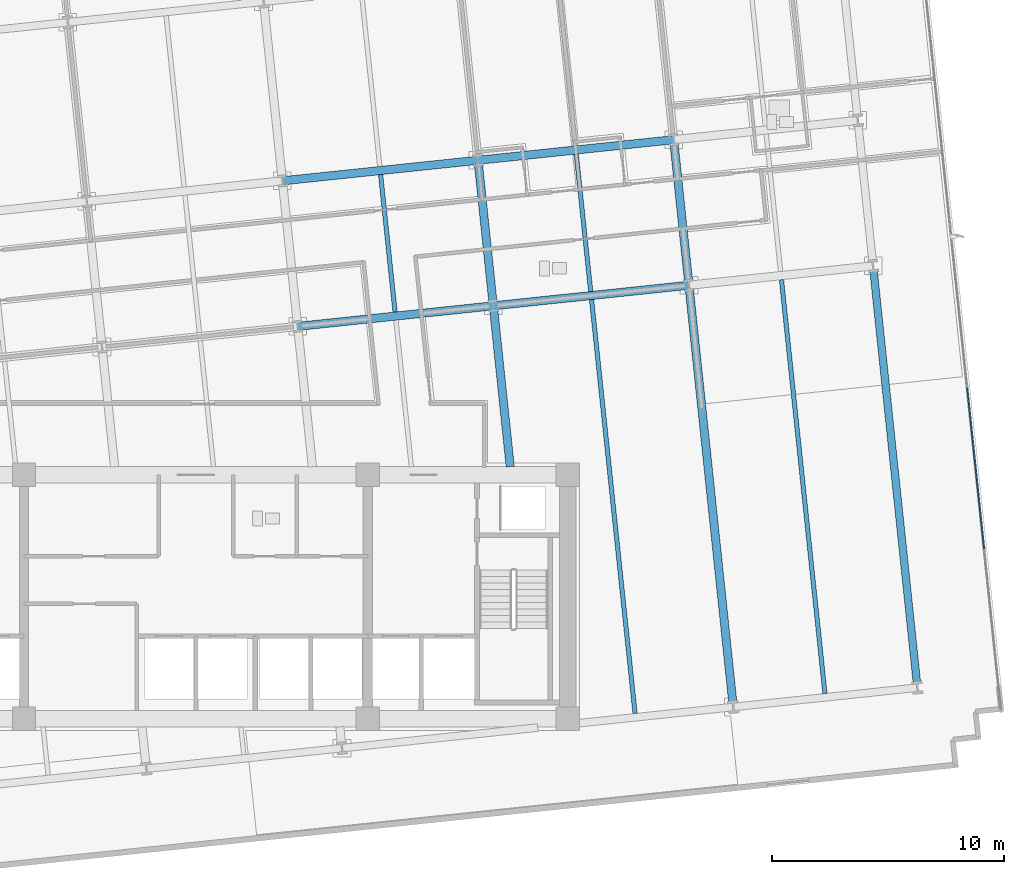
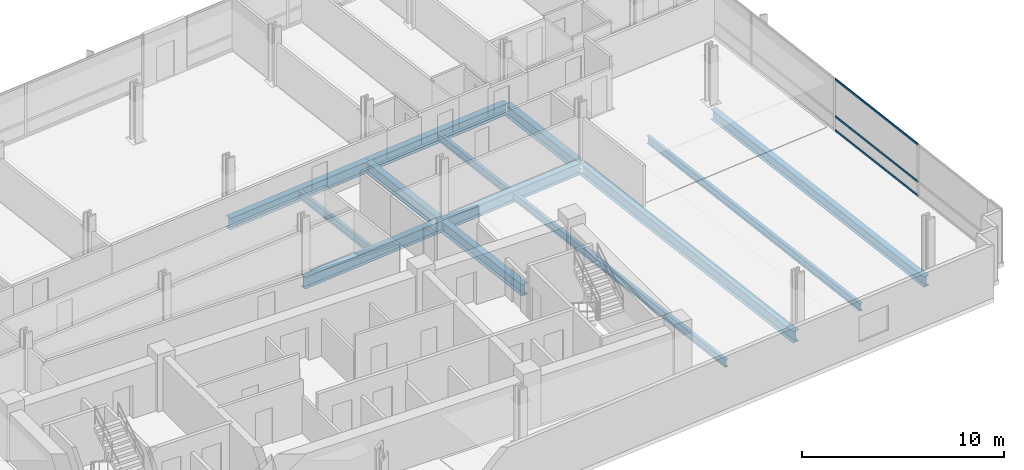
# One storey, part 7 of 21: 13 beams, 3 members, 1 element without a shape of its own.
"""IFC4 building model written with IfcOpenShell, lengths in metres."""

from ifc_helpers import new_model, si_unit, direction, frame, origin, origin_2d, place, context, subcontext, project, spatial, rectangle, i_section, extrude, material, material_profile, profile_set, type_object, element, aggregate, save


model = new_model("IFC4")

# Units and contexts
model_context = context("Model", 3, precision=1e-05, world=origin(), true_north=direction((0.0, 1.0)))
body_context = subcontext(model_context, "Body", "Model", "MODEL_VIEW")
ifc_project = project(units=[si_unit("LENGTHUNIT", "METRE"), si_unit("AREAUNIT", "SQUARE_METRE"), si_unit("VOLUMEUNIT", "CUBIC_METRE"), si_unit("PLANEANGLEUNIT", "RADIAN"), si_unit("MASSUNIT", "GRAM", prefix="KILO")], contexts=[model_context])

# Site, building, storey
site_placement = place(None, origin())
site = spatial("IfcSite", under=ifc_project, at=site_placement, CompositionType="ELEMENT")
building_placement = place(site_placement, origin())
building = spatial("IfcBuilding", under=site, at=building_placement, Name="Solmavex Isthmus Hotel", CompositionType="ELEMENT")
storey_placement = place(building_placement, frame((0.0, 0.0, 113.25)))
storey = spatial("IfcBuildingStorey", under=building, at=storey_placement, Name="L30", CompositionType="ELEMENT", Elevation=113.25)

# Beams
ifc_material_1 = material(Name="Steel ASTM A992 Grade 50", Category="steel")
ifc_material_profile_1 = material_profile(ifc_material_1, i_section(OverallWidth=0.354736328125, OverallDepth=0.695556640625, WebThickness=0.015380859375, FlangeThickness=0.02490234375, FilletRadius=0.017822265625, at=origin_2d()), Name="W27X146")
ifc_profile_set_1 = profile_set([ifc_material_profile_1], Name="Steel ASTM A992 Grade 50")
beam_type_1 = type_object("IfcBeamType", Name="BM-BG-W27X146", PredefinedType="BEAM", material=ifc_profile_set_1)
for number, where, z_axis, x_axis, name in (
    (1, (4.38037109375, 3.888427734375, -0.607666015625), (0.994521085209, 0.104536171134, 0.0), (-0.104536171134, 0.994521085209, 0.0), "Floor Girder L30-UG10"),
    (2, (12.800048828125, 4.7734375, -0.607666015625), (0.994521085209, 0.104536171134, 0.0), (-0.104536171134, 0.994521085209, 0.0), "Floor Girder L30-UG11"),
    (3, (3.72216796875, 10.152099609375, -0.607666015625), (0.994524082861, 0.104507648572, 0.0), (-0.104507648572, 0.994524082861, 0.0), "Floor Girder L30-UG16"),
    (4, (12.141845703125, 11.036865234375, -0.607666015625), (0.994521085209, 0.104536171134, 0.0), (-0.104536171134, 0.994521085209, 0.0), "Floor Girder L30-UG17"),
):
    element("IfcBeam", number, at=place(storey_placement, frame(where, z_axis=z_axis, x_axis=x_axis)), inside=storey, type_object=beam_type_1, Name=name, PredefinedType="BEAM", context=body_context, shape_type="SweptSolid", body=[
        extrude(i_section(OverallWidth=0.354736328125, OverallDepth=0.695556640625, WebThickness=0.015380859375, FlangeThickness=0.02490234375, FilletRadius=0.017822265625, at=origin_2d()), origin(), (0.0, 0.0, 1.0), 8.466064453125),
    ])
beam_1_placement = place(storey_placement, frame((13.52783203125, -2.14990234375, -0.607666015625), z_axis=(-0.104544283528, 0.994520232465, 0.0), x_axis=(-0.994520232465, -0.104544283528, 0.0)))
element("IfcBeam", 5, at=beam_1_placement, inside=storey, type_object=beam_type_1, Name="Floor Beam L30-VG40", PredefinedType="BEAM", context=body_context, shape_type="SweptSolid", body=[
    extrude(i_section(OverallWidth=0.354736328125, OverallDepth=0.695556640625, WebThickness=0.015380859375, FlangeThickness=0.02490234375, FilletRadius=0.017822265625, at=origin_2d()), origin(), (0.0, 0.0, 1.0), 6.783935546875),
])
beam_2_placement = place(storey_placement, frame((12.781494140625, 4.949951171875, -0.607666015625), z_axis=(-0.104505160346, 0.994524344328, 0.0), x_axis=(-0.994524344328, -0.104505160346, 0.0)))
element("IfcBeam", 6, at=beam_2_placement, inside=storey, type_object=beam_type_1, Name="Floor Beam L30-VG41", PredefinedType="BEAM", context=body_context, shape_type="SweptSolid", body=[
    extrude(i_section(OverallWidth=0.354736328125, OverallDepth=0.695556640625, WebThickness=0.015380859375, FlangeThickness=0.02490234375, FilletRadius=0.017822265625, at=origin_2d()), origin(), (0.0, 0.0, 1.0), 5.943115234375),
])
beam_3_placement = place(storey_placement, frame((23.1103515625, -12.329345703125, -0.607666015625), z_axis=(-0.104530088192, 0.99452172458, 0.0), x_axis=(-0.99452172458, -0.104530088192, 0.0)))
element("IfcBeam", 7, at=beam_3_placement, inside=storey, type_object=beam_type_1, Name="Floor Beam L30-VG43", PredefinedType="BEAM", context=body_context, shape_type="SweptSolid", body=[
    extrude(i_section(OverallWidth=0.354736328125, OverallDepth=0.695556640625, WebThickness=0.015380859375, FlangeThickness=0.02490234375, FilletRadius=0.017822265625, at=origin_2d()), origin(), (0.0, 0.0, 1.0), 17.909423828125),
])
beam_4_placement = place(storey_placement, frame((21.201171875, 5.834716796875, -0.607666015625), z_axis=(-0.104505160346, 0.994524344328, 0.0), x_axis=(-0.994524344328, -0.104505160346, 0.0)))
element("IfcBeam", 8, at=beam_4_placement, inside=storey, type_object=beam_type_1, Name="Floor Beam L30-VG44", PredefinedType="BEAM", context=body_context, shape_type="SweptSolid", body=[
    extrude(i_section(OverallWidth=0.354736328125, OverallDepth=0.695556640625, WebThickness=0.015380859375, FlangeThickness=0.02490234375, FilletRadius=0.017822265625, at=origin_2d()), origin(), (0.0, 0.0, 1.0), 5.943115234375),
])
ifc_material_profile_2 = material_profile(ifc_material_1, i_section(OverallWidth=0.1904296875, OverallDepth=0.456787109375, WebThickness=0.009033203125, FlangeThickness=0.014404296875, FilletRadius=0.0126953125, at=origin_2d()), Name="W18X50")
ifc_profile_set_2 = profile_set([ifc_material_profile_2], Name="Steel ASTM A992 Grade 50")
beam_type_2 = type_object("IfcBeamType", Name="BM-BJ-W18X50", PredefinedType="JOIST", material=ifc_profile_set_2)
beam_5_placement = place(storey_placement, frame((8.57177734375, 4.50732421875, -0.488525390625), z_axis=(-0.104545790518, 0.994520074048, 0.0), x_axis=(-0.994520074048, -0.104545790518, 0.0)))
element("IfcBeam", 9, at=beam_5_placement, inside=storey, type_object=beam_type_2, Name="Secondary Floor Joist L30-J14", PredefinedType="JOIST", context=body_context, shape_type="SweptSolid", body=[
    extrude(i_section(OverallWidth=0.1904296875, OverallDepth=0.456787109375, WebThickness=0.009033203125, FlangeThickness=0.014404296875, FilletRadius=0.0126953125, at=origin_2d()), origin(), (0.0, 0.0, 1.0), 5.943115234375),
])
beam_6_placement = place(storey_placement, frame((18.900390625, -12.771728515625, -0.488525390625), z_axis=(-0.104516605126, 0.994523141638, 0.0), x_axis=(-0.994523141638, -0.104516605126, 0.0)))
element("IfcBeam", 10, at=beam_6_placement, inside=storey, type_object=beam_type_2, Name="Secondary Floor Joist L30-J16", PredefinedType="JOIST", context=body_context, shape_type="SweptSolid", body=[
    extrude(i_section(OverallWidth=0.1904296875, OverallDepth=0.456787109375, WebThickness=0.009033203125, FlangeThickness=0.014404296875, FilletRadius=0.0126953125, at=origin_2d()), origin(), (0.0, 0.0, 1.0), 17.909423828125),
])
beam_7_placement = place(storey_placement, frame((16.991455078125, 5.392333984375, -0.488525390625), z_axis=(-0.104545790518, 0.994520074048, 0.0), x_axis=(-0.994520074048, -0.104545790518, 0.0)))
element("IfcBeam", 11, at=beam_7_placement, inside=storey, type_object=beam_type_2, Name="Secondary Floor Joist L30-J17", PredefinedType="JOIST", context=body_context, shape_type="SweptSolid", body=[
    extrude(i_section(OverallWidth=0.1904296875, OverallDepth=0.456787109375, WebThickness=0.009033203125, FlangeThickness=0.014404296875, FilletRadius=0.0126953125, at=origin_2d()), origin(), (0.0, 0.0, 1.0), 5.943115234375),
])
beam_8_placement = place(storey_placement, frame((27.072509765625, -11.912841796875, -0.488525390625), z_axis=(-0.104530088192, 0.99452172458, 0.0), x_axis=(-0.99452172458, -0.104530088192, 0.0)))
element("IfcBeam", 12, at=beam_8_placement, inside=storey, type_object=beam_type_2, Name="Secondary Floor Joist L30-J19", PredefinedType="JOIST", context=body_context, shape_type="SweptSolid", body=[
    extrude(i_section(OverallWidth=0.1904296875, OverallDepth=0.456787109375, WebThickness=0.009033203125, FlangeThickness=0.014404296875, FilletRadius=0.0126953125, at=origin_2d()), origin(), (0.0, 0.0, 1.0), 17.909423828125),
])
ifc_material_profile_3 = material_profile(ifc_material_1, i_section(OverallWidth=0.326416015625, OverallDepth=0.621826171875, WebThickness=0.015380859375, FlangeThickness=0.0244140625, FilletRadius=0.01513671875, at=origin_2d()), Name="W24X131")
ifc_profile_set_3 = profile_set([ifc_material_profile_3], Name="Steel ASTM A992 Grade 50")
beam_type_3 = type_object("IfcBeamType", Name="BM-SP-W24X131", PredefinedType="SPANDREL", material=ifc_profile_set_3)
beam_9_placement = place(storey_placement, frame((31.03466796875, -11.496337890625, -0.57080078125), z_axis=(-0.104530088192, 0.99452172458, 0.0), x_axis=(-0.99452172458, -0.104530088192, 0.0)))
element("IfcBeam", 13, at=beam_9_placement, inside=storey, type_object=beam_type_3, Name="Floor Beam L30-VG46", PredefinedType="SPANDREL", context=body_context, shape_type="SweptSolid", body=[
    extrude(i_section(OverallWidth=0.326416015625, OverallDepth=0.621826171875, WebThickness=0.015380859375, FlangeThickness=0.0244140625, FilletRadius=0.01513671875, at=origin_2d()), origin(), (0.0, 0.0, 1.0), 17.909423828125),
])

# Curtain wall, members
ifc_material_2 = material(Name="Aluminium alloy 6063-T6", Category="aluminium")
curtain_wall_type = type_object("IfcCurtainWallType", Name="CW-SYS-06", PredefinedType="NOTDEFINED", material=ifc_material_2)
curtain_wall_placement = place(storey_placement, origin())
curtain_wall = element("IfcCurtainWall", 14, at=curtain_wall_placement, inside=storey, type_object=curtain_wall_type, Name="Stick Curtain Wall CWL-L30-E1", PredefinedType="NOTDEFINED")
ifc_material_profile_4 = material_profile(ifc_material_2, rectangle(XDim=0.06005859375, YDim=0.114990234375, at=origin_2d()), Name="CWT-60X115")
ifc_profile_set_4 = profile_set([ifc_material_profile_4], Name="Aluminium alloy 6063-T6")
member_type = type_object("IfcMemberType", Name="CW-SYS-06-TRN", PredefinedType="USERDEFINED", material=ifc_profile_set_4)
member_1_placement = place(storey_placement, frame((33.922119140625, -5.676025390625, 0.0576171875), z_axis=(-0.104531402636, 0.994521586424, 0.0), x_axis=(-0.994521586424, -0.104531402636, 0.0)))
member_1 = element("IfcMember", 15, at=member_1_placement, type_object=member_type, Name="CW-06 transom 2.1", ObjectType="TRANSOM", PredefinedType="USERDEFINED", context=body_context, shape_type="SweptSolid", body=[
    extrude(rectangle(XDim=0.06005859375, YDim=0.114990234375, at=origin_2d()), origin(), (0.0, 0.0, 1.0), 6.9599609375),
])
member_2_placement = place(storey_placement, frame((33.922119140625, -5.676025390625, 0.89990234375), z_axis=(-0.104531402636, 0.994521586424, 0.0), x_axis=(-0.994521586424, -0.104531402636, 0.0)))
member_2 = element("IfcMember", 16, at=member_2_placement, type_object=member_type, Name="CW-06 transom 2.2", ObjectType="TRANSOM", PredefinedType="USERDEFINED", context=body_context, shape_type="SweptSolid", body=[
    extrude(rectangle(XDim=0.06005859375, YDim=0.114990234375, at=origin_2d()), origin(), (0.0, 0.0, 1.0), 6.9599609375),
])
member_3_placement = place(storey_placement, frame((33.922119140625, -5.676025390625, 3.132568359375), z_axis=(-0.104531402636, 0.994521586424, 0.0), x_axis=(-0.994521586424, -0.104531402636, 0.0)))
member_3 = element("IfcMember", 17, at=member_3_placement, type_object=member_type, Name="CW-06 transom 2.3", ObjectType="TRANSOM", PredefinedType="USERDEFINED", context=body_context, shape_type="SweptSolid", body=[
    extrude(rectangle(XDim=0.06005859375, YDim=0.114990234375, at=origin_2d()), origin(), (0.0, 0.0, 1.0), 6.9599609375),
])
aggregate(curtain_wall, [member_1, member_2, member_3])

save(model, "model.ifc")
